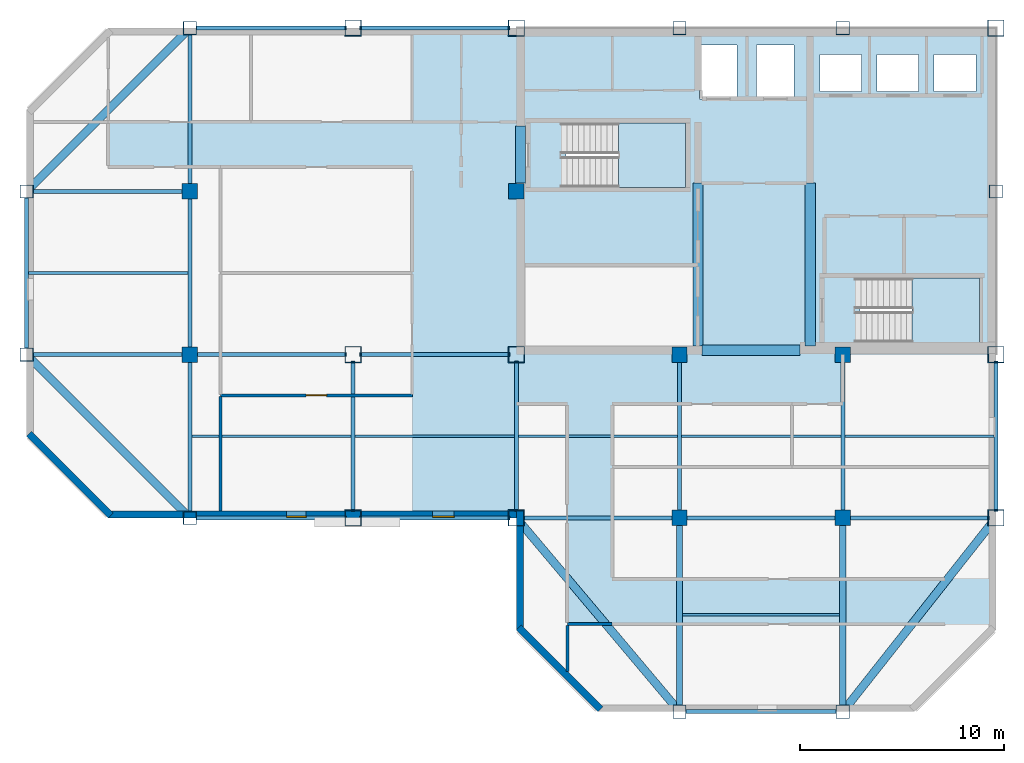
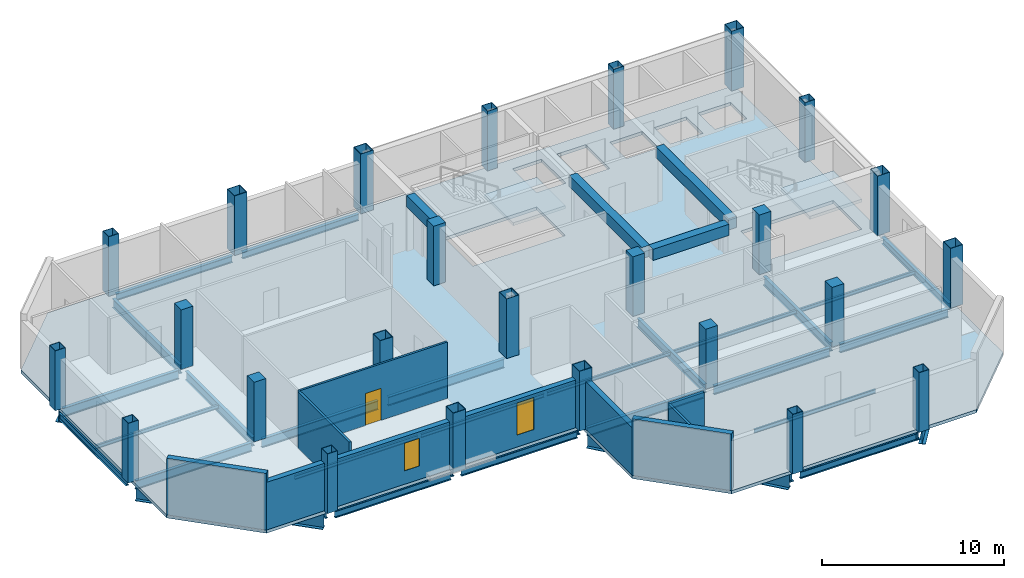
# One storey, part 1 of 7: 38 beams, 25 columns, 8 walls, 3 slabs, 2 windows, 1 door, 3 openings, 2 elements without a shape of their own.
"""IFC4 building model written with IfcOpenShell, lengths in metres."""

from ifc_helpers import new_model, si_unit, direction, frame, frame_2d, origin, origin_2d, place, context, subcontext, project, spatial, polyline, rectangle, hollow_rectangle, i_section, outline, extrude, material, layer, layer_set, material_profile, profile_set, type_object, element, fill, aggregate, save


model = new_model("IFC4")

# Units and contexts
model_context = context("Model", 3, precision=1e-05, world=origin(), true_north=direction((0.0, 1.0)))
body_context = subcontext(model_context, "Body", "Model", "MODEL_VIEW")
ifc_project = project(units=[si_unit("LENGTHUNIT", "METRE"), si_unit("AREAUNIT", "SQUARE_METRE"), si_unit("VOLUMEUNIT", "CUBIC_METRE"), si_unit("PLANEANGLEUNIT", "RADIAN"), si_unit("MASSUNIT", "GRAM", prefix="KILO")], contexts=[model_context])

# Site, building, storey
site_placement = place(None, origin())
site = spatial("IfcSite", under=ifc_project, at=site_placement, CompositionType="ELEMENT")
building_placement = place(site_placement, origin())
building = spatial("IfcBuilding", under=site, at=building_placement, Name="Qianrong Seaharbour Tower", CompositionType="ELEMENT")
storey_placement = place(building_placement, frame((0.0, 0.0, 347.199951171875)))
storey = spatial("IfcBuildingStorey", under=building, at=storey_placement, Name="L84", CompositionType="ELEMENT", Elevation=347.199951171875)

# Columns
ifc_material_1 = material(Name="Structural steel SN490B", Category="steel")
ifc_material_profile_1 = material_profile(ifc_material_1, hollow_rectangle(XDim=0.800048828125, YDim=0.800048828125, WallThickness=0.031982421875, at=origin_2d()), Name="BOX800x800x32")
ifc_profile_set_1 = profile_set([ifc_material_profile_1], Name="Structural steel SN490B")
column_type_1 = type_object("IfcColumnType", Name="COL-CFT-800", PredefinedType="COLUMN", material=ifc_profile_set_1)
for number, where, z_axis, x_axis, name in (
    (1, (32.5, 28.0, 0.0), (0.0, 0.0, 1.0), (1.0, 0.0, 0.0), "L84 Column MC-5 at G5/GE"),
    (2, (32.5, 36.0, 0.0), (0.0, 0.0, 1.0), (1.0, 0.0, 0.0), "L84 Column MC-5 at G5/GF"),
    (3, (32.5, 52.0, 0.0), (0.0, 0.0, 1.0), (1.0, 0.0, 0.0), "L84 Column MC-5 at G5/GH"),
    (4, (40.5, 28.0, 0.0), (0.0, 0.0, 1.0), (1.0, 0.0, 0.0), "L84 Column MC-5 at G6/GE"),
    (5, (40.5, 36.0, 0.0), (0.0, 0.0, 1.0), (1.0, 0.0, 0.0), "L84 Column MC-5 at G6/GF"),
    (6, (40.5, 52.0, 0.0), (0.0, 0.0, 1.0), (1.0, 0.0, 0.0), "L84 Column MC-5 at G6/GH"),
    (7, (64.0, 28.0, 0.0), (0.0, 0.0, 1.0), (1.0, 0.0, 0.0), "L84 Column MC-5 at G9/GE"),
    (8, (64.0, 36.0, 0.0), (0.0, 0.0, 1.0), (1.0, 0.0, 0.0), "L84 Column MC-5 at G9/GF"),
    (9, (64.0, 52.0, 0.0), (0.0, 0.0, 1.0), (1.0, 0.0, 0.0), "L84 Column MC-5 at G9/GH"),
):
    element("IfcColumn", number, at=place(storey_placement, frame(where, z_axis=z_axis, x_axis=x_axis)), inside=storey, type_object=column_type_1, Name=name, PredefinedType="COLUMN", context=body_context, shape_type="SweptSolid", body=[
        extrude(hollow_rectangle(XDim=0.800048828125, YDim=0.800048828125, WallThickness=0.031982421875, at=origin_2d()), origin(), (0.0, 0.0, 1.0), 4.0),
    ])
ifc_material_2 = material(Name="Concrete C50/60", Category="concrete")
ifc_material_profile_2 = material_profile(ifc_material_2, rectangle(XDim=0.75, YDim=0.75, at=origin_2d()), Name="RC750x750")
ifc_profile_set_2 = profile_set([ifc_material_profile_2], Name="Concrete C50/60")
column_type_2 = type_object("IfcColumnType", Name="COL-INT-RC750", PredefinedType="COLUMN", material=ifc_profile_set_2)
for number, where, z_axis, x_axis, name in (
    (10, (24.5, 36.0, 0.0), (0.0, 0.0, 1.0), (1.0, 0.0, 0.0), "L84 Column IC-4 at G4/GF"),
    (11, (24.5, 44.0, 0.0), (0.0, 0.0, 1.0), (1.0, 0.0, 0.0), "L84 Column IC-4 at G4/GG"),
    (12, (40.5, 44.0, 0.0), (0.0, 0.0, 1.0), (1.0, 0.0, 0.0), "L84 Column IC-4 at G6/GG"),
    (13, (48.5, 28.0, 0.0), (0.0, 0.0, 1.0), (1.0, 0.0, 0.0), "L84 Column IC-4 at G7/GE"),
    (14, (48.5, 36.0, 0.0), (0.0, 0.0, 1.0), (1.0, 0.0, 0.0), "L84 Column IC-4 at G7/GF"),
    (15, (56.5, 28.0, 0.0), (0.0, 0.0, 1.0), (1.0, 0.0, 0.0), "L84 Column IC-4 at G8/GE"),
    (16, (56.5, 36.0, 0.0), (0.0, 0.0, 1.0), (1.0, 0.0, 0.0), "L84 Column IC-4 at G8/GF"),
):
    element("IfcColumn", number, at=place(storey_placement, frame(where, z_axis=z_axis, x_axis=x_axis)), inside=storey, type_object=column_type_2, Name=name, PredefinedType="COLUMN", context=body_context, shape_type="SweptSolid", body=[
        extrude(rectangle(XDim=0.75, YDim=0.75, at=origin_2d()), origin(), (0.0, 0.0, 1.0), 4.0),
    ])
ifc_material_3 = material(Name="Structural steel SN400B", Category="steel")
ifc_material_profile_3 = material_profile(ifc_material_3, hollow_rectangle(XDim=0.64990234375, YDim=0.64990234375, WallThickness=0.028076171875, at=origin_2d()), Name="BOX650x650x28")
ifc_profile_set_3 = profile_set([ifc_material_profile_3], Name="Structural steel SN400B")
column_type_3 = type_object("IfcColumnType", Name="COL-PER-650", PredefinedType="COLUMN", material=ifc_profile_set_3)
for number, where, z_axis, x_axis, name in (
    (17, (16.5, 36.0, 0.0), (0.0, 0.0, 1.0), (1.0, 0.0, 0.0), "L84 Column PC-4 at G3/GF"),
    (18, (16.5, 44.0, 0.0), (0.0, 0.0, 1.0), (1.0, 0.0, 0.0), "L84 Column PC-4 at G3/GG"),
    (19, (24.5, 28.0, 0.0), (0.0, 0.0, 1.0), (1.0, 0.0, 0.0), "L84 Column PC-4 at G4/GE"),
    (20, (24.5, 52.0, 0.0), (0.0, 0.0, 1.0), (1.0, 0.0, 0.0), "L84 Column PC-4 at G4/GH"),
    (21, (48.5, 18.5, 0.0), (0.0, 0.0, 1.0), (1.0, 0.0, 0.0), "L84 Column PC-4 at G7/GD"),
    (22, (48.5, 52.0, 0.0), (0.0, 0.0, 1.0), (1.0, 0.0, 0.0), "L84 Column PC-4 at G7/GH"),
    (23, (56.5, 18.5, 0.0), (0.0, 0.0, 1.0), (1.0, 0.0, 0.0), "L84 Column PC-4 at G8/GD"),
    (24, (56.5, 52.0, 0.0), (0.0, 0.0, 1.0), (1.0, 0.0, 0.0), "L84 Column PC-4 at G8/GH"),
    (25, (64.0, 44.0, 0.0), (0.0, 0.0, 1.0), (1.0, 0.0, 0.0), "L84 Column PC-4 at G9/GG"),
):
    element("IfcColumn", number, at=place(storey_placement, frame(where, z_axis=z_axis, x_axis=x_axis)), inside=storey, type_object=column_type_3, Name=name, PredefinedType="COLUMN", context=body_context, shape_type="SweptSolid", body=[
        extrude(hollow_rectangle(XDim=0.64990234375, YDim=0.64990234375, WallThickness=0.028076171875, at=origin_2d()), origin(), (0.0, 0.0, 1.0), 4.0),
    ])

# Beams
ifc_material_profile_4 = material_profile(ifc_material_1, i_section(OverallWidth=0.199951171875, OverallDepth=0.60009765625, WebThickness=0.010986328125, FlangeThickness=0.01708984375, FilletRadius=0.02197265625, at=origin_2d()), Name="H600x200x11x17")
ifc_profile_set_4 = profile_set([ifc_material_profile_4], Name="Structural steel SN490B")
beam_type_1 = type_object("IfcBeamType", Name="BM-G-600", PredefinedType="BEAM", material=ifc_profile_set_4)
for number, where, z_axis, x_axis, name in (
    (26, (40.820068359375, 28.0, -0.514892578125), (1.0, 0.0, 0.0), (0.0, 1.0, 0.0), "L84 Primary Girder GE G6-G7"),
    (27, (48.820068359375, 28.0, -0.514892578125), (1.0, 0.0, 0.0), (0.0, 1.0, 0.0), "L84 Primary Girder GE G7-G8"),
):
    element("IfcBeam", number, at=place(storey_placement, frame(where, z_axis=z_axis, x_axis=x_axis)), inside=storey, type_object=beam_type_1, Name=name, PredefinedType="BEAM", context=body_context, shape_type="SweptSolid", body=[
        extrude(i_section(OverallWidth=0.199951171875, OverallDepth=0.60009765625, WebThickness=0.010986328125, FlangeThickness=0.01708984375, FilletRadius=0.02197265625, at=origin_2d()), origin(), (0.0, 0.0, 1.0), 7.35986328125),
    ])
beam_1_placement = place(storey_placement, frame((56.820068359375, 28.0, -0.514892578125), z_axis=(1.0, 0.0, 0.0), x_axis=(0.0, 1.0, 0.0)))
element("IfcBeam", 28, at=beam_1_placement, inside=storey, type_object=beam_type_1, Name="L84 Primary Girder GE G8-G9", PredefinedType="BEAM", context=body_context, shape_type="SweptSolid", body=[
    extrude(i_section(OverallWidth=0.199951171875, OverallDepth=0.60009765625, WebThickness=0.010986328125, FlangeThickness=0.01708984375, FilletRadius=0.02197265625, at=origin_2d()), origin(), (0.0, 0.0, 1.0), 6.85986328125),
])
for number, where, z_axis, x_axis, name in (
    (29, (16.820068359375, 36.0, -0.514892578125), (1.0, 0.0, 0.0), (0.0, 1.0, 0.0), "L84 Primary Girder GF G3-G4"),
    (30, (24.820068359375, 36.0, -0.514892578125), (1.0, 0.0, 0.0), (0.0, 1.0, 0.0), "L84 Primary Girder GF G4-G5"),
    (31, (32.820068359375, 36.0, -0.514892578125), (1.0, 0.0, 0.0), (0.0, 1.0, 0.0), "L84 Primary Girder GF G5-G6"),
    (32, (16.820068359375, 44.0, -0.514892578125), (1.0, 0.0, 0.0), (0.0, 1.0, 0.0), "L84 Primary Girder GG G3-G4"),
    (33, (24.5, 28.320068359375, -0.514892578125), (0.0, 1.0, 0.0), (-1.0, 0.0, 0.0), "L84 Primary Girder G4 GE-GF"),
    (34, (24.5, 36.320068359375, -0.514892578125), (0.0, 1.0, 0.0), (-1.0, 0.0, 0.0), "L84 Primary Girder G4 GF-GG"),
    (35, (24.5, 44.320068359375, -0.514892578125), (0.0, 1.0, 0.0), (-1.0, 0.0, 0.0), "L84 Primary Girder G4 GG-GH"),
    (36, (32.5, 28.320068359375, -0.514892578125), (0.0, 1.0, 0.0), (-1.0, 0.0, 0.0), "L84 Primary Girder G5 GE-GF"),
    (37, (40.5, 28.320068359375, -0.514892578125), (0.0, 1.0, 0.0), (-1.0, 0.0, 0.0), "L84 Primary Girder G6 GE-GF"),
    (38, (48.5, 28.320068359375, -0.514892578125), (0.0, 1.0, 0.0), (-1.0, 0.0, 0.0), "L84 Primary Girder G7 GE-GF"),
    (39, (56.5, 28.320068359375, -0.514892578125), (0.0, 1.0, 0.0), (-1.0, 0.0, 0.0), "L84 Primary Girder G8 GE-GF"),
):
    element("IfcBeam", number, at=place(storey_placement, frame(where, z_axis=z_axis, x_axis=x_axis)), inside=storey, type_object=beam_type_1, Name=name, PredefinedType="BEAM", context=body_context, shape_type="SweptSolid", body=[
        extrude(i_section(OverallWidth=0.199951171875, OverallDepth=0.60009765625, WebThickness=0.010986328125, FlangeThickness=0.01708984375, FilletRadius=0.02197265625, at=origin_2d()), origin(), (0.0, 0.0, 1.0), 7.35986328125),
    ])
ifc_material_profile_5 = material_profile(ifc_material_1, i_section(OverallWidth=0.300048828125, OverallDepth=0.800048828125, WebThickness=0.013916015625, FlangeThickness=0.02587890625, FilletRadius=0.028076171875, at=origin_2d()), Name="H800x300x14x26")
ifc_profile_set_5 = profile_set([ifc_material_profile_5], Name="Structural steel SN490B")
beam_type_2 = type_object("IfcBeamType", Name="BM-G-800", PredefinedType="BEAM", material=ifc_profile_set_5)
for number, where, z_axis, x_axis, name in (
    (40, (48.5, 18.820068359375, -0.614990234375), (0.0, 1.0, 0.0), (-1.0, 0.0, 0.0), "L84 Primary Girder G7 GD-GE"),
    (41, (56.5, 18.820068359375, -0.614990234375), (0.0, 1.0, 0.0), (-1.0, 0.0, 0.0), "L84 Primary Girder G8 GD-GE"),
):
    element("IfcBeam", number, at=place(storey_placement, frame(where, z_axis=z_axis, x_axis=x_axis)), inside=storey, type_object=beam_type_2, Name=name, PredefinedType="BEAM", context=body_context, shape_type="SweptSolid", body=[
        extrude(i_section(OverallWidth=0.300048828125, OverallDepth=0.800048828125, WebThickness=0.013916015625, FlangeThickness=0.02587890625, FilletRadius=0.028076171875, at=origin_2d()), origin(), (0.0, 0.0, 1.0), 8.85986328125),
    ])
ifc_material_profile_6 = material_profile(ifc_material_3, i_section(OverallWidth=0.125, OverallDepth=0.25, WebThickness=0.006103515625, FlangeThickness=0.009033203125, FilletRadius=0.011962890625, at=origin_2d()), Name="H250x125x6x9")
ifc_profile_set_6 = profile_set([ifc_material_profile_6], Name="Structural steel SN400B")
beam_type_3 = type_object("IfcBeamType", Name="BM-J-250", PredefinedType="JOIST", material=ifc_profile_set_6)
for number, where, z_axis, x_axis, name in (
    (42, (16.60009765625, 40.0, -0.33984375), (1.0, 0.0, 0.0), (0.0, 1.0, 0.0), "L84 Composite Floor Joist G3-G4/GF-GG"),
    (43, (24.60009765625, 32.0, -0.33984375), (1.0, 0.0, 0.0), (0.0, 1.0, 0.0), "L84 Composite Floor Joist G4-G5/GE-GF"),
    (44, (32.60009765625, 32.0, -0.33984375), (1.0, 0.0, 0.0), (0.0, 1.0, 0.0), "L84 Composite Floor Joist G5-G6/GE-GF"),
    (45, (40.60009765625, 32.0, -0.33984375), (1.0, 0.0, 0.0), (0.0, 1.0, 0.0), "L84 Composite Floor Joist G6-G7/GE-GF"),
):
    element("IfcBeam", number, at=place(storey_placement, frame(where, z_axis=z_axis, x_axis=x_axis)), inside=storey, type_object=beam_type_3, Name=name, PredefinedType="JOIST", context=body_context, shape_type="SweptSolid", body=[
        extrude(i_section(OverallWidth=0.125, OverallDepth=0.25, WebThickness=0.006103515625, FlangeThickness=0.009033203125, FilletRadius=0.011962890625, at=origin_2d()), origin(), (0.0, 0.0, 1.0), 7.7998046875),
    ])
beam_2_placement = place(storey_placement, frame((48.64990234375, 23.25, -0.33984375), z_axis=(1.0, 0.0, 0.0), x_axis=(0.0, 1.0, 0.0)))
element("IfcBeam", 46, at=beam_2_placement, inside=storey, type_object=beam_type_3, Name="L84 Composite Floor Joist G7-G8/GD-GE", PredefinedType="JOIST", context=body_context, shape_type="SweptSolid", body=[
    extrude(i_section(OverallWidth=0.125, OverallDepth=0.25, WebThickness=0.006103515625, FlangeThickness=0.009033203125, FilletRadius=0.011962890625, at=origin_2d()), origin(), (0.0, 0.0, 1.0), 7.7001953125),
])
beam_3_placement = place(storey_placement, frame((48.60009765625, 32.0, -0.33984375), z_axis=(1.0, 0.0, 0.0), x_axis=(0.0, 1.0, 0.0)))
element("IfcBeam", 47, at=beam_3_placement, inside=storey, type_object=beam_type_3, Name="L84 Composite Floor Joist G7-G8/GE-GF", PredefinedType="JOIST", context=body_context, shape_type="SweptSolid", body=[
    extrude(i_section(OverallWidth=0.125, OverallDepth=0.25, WebThickness=0.006103515625, FlangeThickness=0.009033203125, FilletRadius=0.011962890625, at=origin_2d()), origin(), (0.0, 0.0, 1.0), 7.7998046875),
])
beam_4_placement = place(storey_placement, frame((56.60009765625, 32.0, -0.33984375), z_axis=(1.0, 0.0, 0.0), x_axis=(0.0, 1.0, 0.0)))
element("IfcBeam", 48, at=beam_4_placement, inside=storey, type_object=beam_type_3, Name="L84 Composite Floor Joist G8-G9/GE-GF", PredefinedType="JOIST", context=body_context, shape_type="SweptSolid", body=[
    extrude(i_section(OverallWidth=0.125, OverallDepth=0.25, WebThickness=0.006103515625, FlangeThickness=0.009033203125, FilletRadius=0.011962890625, at=origin_2d()), origin(), (0.0, 0.0, 1.0), 7.2998046875),
])
ifc_material_4 = material(Name="Concrete C60/75", Category="concrete")
ifc_material_profile_7 = material_profile(ifc_material_4, rectangle(XDim=0.5, YDim=0.75, at=origin_2d()), Name="RC500x750")
ifc_profile_set_7 = profile_set([ifc_material_profile_7], Name="Concrete C60/75")
beam_type_4 = type_object("IfcBeamType", Name="BM-LINTEL-750", PredefinedType="LINTEL", material=ifc_profile_set_7)
beam_5_placement = place(storey_placement, frame((40.7099609375, 44.39990234375, 3.41015625), z_axis=(0.0, 1.0, 0.0), x_axis=(-1.0, 0.0, 0.0)))
element("IfcBeam", 49, at=beam_5_placement, inside=storey, type_object=beam_type_4, Name="L84 Core Coupling Lintel Beam West", PredefinedType="LINTEL", context=body_context, shape_type="SweptSolid", body=[
    extrude(rectangle(XDim=0.5, YDim=0.75, at=origin_2d()), origin(), (0.0, 0.0, 1.0), 2.800048828125),
])
beam_6_placement = place(storey_placement, frame((49.60009765625, 36.2099609375, 3.41015625), z_axis=(1.0, 0.0, 0.0), x_axis=(0.0, 1.0, 0.0)))
element("IfcBeam", 50, at=beam_6_placement, inside=storey, type_object=beam_type_4, Name="L84 Core Coupling Lintel Beam CBC", PredefinedType="LINTEL", context=body_context, shape_type="SweptSolid", body=[
    extrude(rectangle(XDim=0.5, YDim=0.75, at=origin_2d()), origin(), (0.0, 0.0, 1.0), 4.7998046875),
])
for number, where, z_axis, x_axis, name in (
    (51, (49.39990234375, 36.419921875, 3.41015625), (0.0, 1.0, 0.0), (-1.0, 0.0, 0.0), "L84 Internal Core Coupling Beam IW1"),
    (52, (54.89990234375, 36.419921875, 3.41015625), (0.0, 1.0, 0.0), (-1.0, 0.0, 0.0), "L84 Internal Core Coupling Beam IW2"),
):
    element("IfcBeam", number, at=place(storey_placement, frame(where, z_axis=z_axis, x_axis=x_axis)), inside=storey, type_object=beam_type_4, Name=name, PredefinedType="LINTEL", context=body_context, shape_type="SweptSolid", body=[
        extrude(rectangle(XDim=0.5, YDim=0.75, at=origin_2d()), origin(), (0.0, 0.0, 1.0), 7.97998046875),
    ])
ifc_material_profile_8 = material_profile(ifc_material_3, i_section(OverallWidth=0.199951171875, OverallDepth=0.449951171875, WebThickness=0.009033203125, FlangeThickness=0.013916015625, FilletRadius=0.01806640625, at=origin_2d()), Name="H450x200x9x14")
ifc_profile_set_8 = profile_set([ifc_material_profile_8], Name="Structural steel SN400B")
beam_type_5 = type_object("IfcBeamType", Name="BM-SP-450", PredefinedType="SPANDREL", material=ifc_profile_set_8)
for number, where, z_axis, x_axis, name in (
    (53, (48.820068359375, 18.5, -0.43994140625), (1.0, 0.0, 0.0), (0.0, 1.0, 0.0), "L84 Spandrel Girder GD G7-G8"),
    (54, (24.820068359375, 28.0, -0.43994140625), (1.0, 0.0, 0.0), (0.0, 1.0, 0.0), "L84 Spandrel Girder GE G4-G5"),
    (55, (32.820068359375, 28.0, -0.43994140625), (1.0, 0.0, 0.0), (0.0, 1.0, 0.0), "L84 Spandrel Girder GE G5-G6"),
    (56, (24.820068359375, 52.0, -0.43994140625), (1.0, 0.0, 0.0), (0.0, 1.0, 0.0), "L84 Spandrel Girder GH G4-G5"),
    (57, (32.820068359375, 52.0, -0.43994140625), (1.0, 0.0, 0.0), (0.0, 1.0, 0.0), "L84 Spandrel Girder GH G5-G6"),
    (58, (16.5, 36.320068359375, -0.43994140625), (0.0, 1.0, 0.0), (-1.0, 0.0, 0.0), "L84 Spandrel Girder G3 GF-GG"),
    (59, (64.0, 28.320068359375, -0.43994140625), (0.0, 1.0, 0.0), (-1.0, 0.0, 0.0), "L84 Spandrel Girder G9 GE-GF"),
):
    element("IfcBeam", number, at=place(storey_placement, frame(where, z_axis=z_axis, x_axis=x_axis)), inside=storey, type_object=beam_type_5, Name=name, PredefinedType="SPANDREL", context=body_context, shape_type="SweptSolid", body=[
        extrude(i_section(OverallWidth=0.199951171875, OverallDepth=0.449951171875, WebThickness=0.009033203125, FlangeThickness=0.013916015625, FilletRadius=0.01806640625, at=origin_2d()), origin(), (0.0, 0.0, 1.0), 7.35986328125),
    ])
ifc_material_profile_9 = material_profile(ifc_material_1, i_section(OverallWidth=0.39990234375, OverallDepth=1.10009765625, WebThickness=0.02001953125, FlangeThickness=0.035888671875, at=origin_2d()), Name="BH1100x400x20x36")
ifc_profile_set_9 = profile_set([ifc_material_profile_9], Name="Structural steel SN490B")
beam_type_6 = type_object("IfcBeamType", Name="BM-TG-1100", PredefinedType="BEAM", material=ifc_profile_set_9)
for number, where, z_axis, x_axis, name in (
    (60, (24.273681640625, 28.226318359375, -0.764892578125), (-0.707106781187, 0.707106781187, 0.0), (-0.707106781187, -0.707106781187, 0.0), "L84 Chamfer Corner Spandrel Girder G3/GE"),
    (61, (24.273681640625, 51.773681640625, -0.764892578125), (-0.707106781187, -0.707106781187, 0.0), (0.707106781187, -0.707106781187, 0.0), "L84 Chamfer Corner Spandrel Girder G3/GH"),
):
    element("IfcBeam", number, at=place(storey_placement, frame(where, z_axis=z_axis, x_axis=x_axis)), inside=storey, type_object=beam_type_6, Name=name, PredefinedType="BEAM", context=body_context, shape_type="SweptSolid", body=[
        extrude(i_section(OverallWidth=0.39990234375, OverallDepth=1.10009765625, WebThickness=0.02001953125, FlangeThickness=0.035888671875, at=origin_2d()), origin(), (0.0, 0.0, 1.0), 10.673583984375),
    ])
beam_7_placement = place(storey_placement, frame((48.2939453125, 18.744873046875, -0.764892578125), z_axis=(-0.644151063101, 0.764898299061, 0.0), x_axis=(-0.764898299061, -0.644151063101, 0.0)))
element("IfcBeam", 62, at=beam_7_placement, inside=storey, type_object=beam_type_6, Name="L84 Chamfer Corner Spandrel Girder G6/GD", PredefinedType="BEAM", context=body_context, shape_type="SweptSolid", body=[
    extrude(i_section(OverallWidth=0.39990234375, OverallDepth=1.10009765625, WebThickness=0.02001953125, FlangeThickness=0.035888671875, at=origin_2d()), origin(), (0.0, 0.0, 1.0), 11.77978515625),
])
beam_8_placement = place(storey_placement, frame((56.6982421875, 18.751220703125, -0.764892578125), z_axis=(0.619653955715, 0.784875133487, 0.0), x_axis=(-0.784875133487, 0.619653955715, 0.0)))
element("IfcBeam", 63, at=beam_8_placement, inside=storey, type_object=beam_type_6, Name="L84 Chamfer Corner Spandrel Girder G9/GD", PredefinedType="BEAM", context=body_context, shape_type="SweptSolid", body=[
    extrude(i_section(OverallWidth=0.39990234375, OverallDepth=1.10009765625, WebThickness=0.02001953125, FlangeThickness=0.035888671875, at=origin_2d()), origin(), (0.0, 0.0, 1.0), 11.463623046875),
])

# Stair, slab
stair_type = type_object("IfcStairType", Name="STAIR-DOGLEG-1500-R22", PredefinedType="HALF_TURN_STAIR", material=ifc_material_2)
stair_1_placement = place(storey_placement, origin())
stair_1 = element("IfcStair", 64, at=stair_1_placement, inside=storey, type_object=stair_type, Name="L84 Protected Escape Stair ST-1", PredefinedType="HALF_TURN_STAIR")
ifc_layer_1 = layer(ifc_material_2, 0.199951171875)
ifc_layer_set_1 = layer_set([ifc_layer_1], Name="Concrete C50/60")
slab_type_1 = type_object("IfcSlabType", Name="SLAB-STAIR-LANDING-200", PredefinedType="LANDING", material=ifc_layer_set_1)
slab_1_placement = place(storey_placement, frame((0.0, 0.0, 1.800048828125)))
slab_1 = element("IfcSlab", 65, at=slab_1_placement, type_object=slab_type_1, Name="ST-1 landing 1", PredefinedType="LANDING", context=body_context, shape_type="SweptSolid", body=[
    extrude(outline(polyline([(45.5, 44.199951171875), (48.800048828125, 44.199951171875), (48.800048828125, 47.35009765625), (45.5, 47.35009765625), (45.5, 44.199951171875)])), origin(), (0.0, 0.0, 1.0), 0.199951171875),
])
aggregate(stair_1, [slab_1])

stair_2_placement = place(storey_placement, origin())
stair_2 = element("IfcStair", 66, at=stair_2_placement, inside=storey, type_object=stair_type, Name="L84 Protected Escape Stair ST-2", PredefinedType="HALF_TURN_STAIR")
slab_2_placement = place(storey_placement, frame((0.0, 0.0, 1.800048828125)))
slab_2 = element("IfcSlab", 67, at=slab_2_placement, type_object=slab_type_1, Name="ST-2 landing 1", PredefinedType="LANDING", context=body_context, shape_type="SweptSolid", body=[
    extrude(outline(polyline([(59.89990234375, 36.60009765625), (63.199951171875, 36.60009765625), (63.199951171875, 39.75), (59.89990234375, 39.75), (59.89990234375, 36.60009765625)])), origin(), (0.0, 0.0, 1.0), 0.199951171875),
])
aggregate(stair_2, [slab_2])

# Slab
ifc_layer_2 = layer(ifc_material_2, 0.215087890625)
ifc_layer_set_2 = layer_set([ifc_layer_2], Name="Concrete C50/60")
slab_type_2 = type_object("IfcSlabType", Name="SLAB-Z4-215", PredefinedType="FLOOR", material=ifc_layer_set_2)
slab_3_placement = place(storey_placement, frame((0.0, 0.0, -0.21484375)))
element("IfcSlab", 68, at=slab_3_placement, inside=storey, type_object=slab_type_2, Name="L84 Structural Floor Slab", PredefinedType="FLOOR", context=body_context, shape_type="SweptSolid", body=[
    extrude(outline(polyline([(44.5, 18.5), (60.0, 18.5), (64.0, 22.5), (64.0, 52.0), (20.5, 52.0), (16.5, 48.0), (16.5, 32.0), (20.5, 28.0), (40.5, 28.0), (40.5, 22.5), (44.5, 18.5)]), holes=[polyline([(42.93994140625, 44.199951171875), (42.93994140625, 47.35009765625), (48.800048828125, 47.35009765625), (48.800048828125, 44.199951171875), (42.93994140625, 44.199951171875)]), polyline([(57.340087890625, 36.60009765625), (57.340087890625, 39.75), (63.199951171875, 39.75), (63.199951171875, 36.60009765625), (57.340087890625, 36.60009765625)]), polyline([(49.47998046875, 48.530029296875), (49.47998046875, 51.169921875), (51.320068359375, 51.169921875), (51.320068359375, 48.530029296875), (49.47998046875, 48.530029296875)]), polyline([(52.280029296875, 48.530029296875), (52.280029296875, 51.169921875), (54.1201171875, 51.169921875), (54.1201171875, 48.530029296875), (52.280029296875, 48.530029296875)]), polyline([(55.3798828125, 48.89990234375), (55.3798828125, 50.699951171875), (57.419921875, 50.699951171875), (57.419921875, 48.89990234375), (55.3798828125, 48.89990234375)]), polyline([(58.179931640625, 48.89990234375), (58.179931640625, 50.699951171875), (60.219970703125, 50.699951171875), (60.219970703125, 48.89990234375), (58.179931640625, 48.89990234375)]), polyline([(60.97998046875, 48.89990234375), (60.97998046875, 50.699951171875), (63.02001953125, 50.699951171875), (63.02001953125, 48.89990234375), (60.97998046875, 48.89990234375)])]), origin(), (0.0, 0.0, 1.0), 0.21484375),
])

# Walls
ifc_material_5 = material(Name="Fire-rated acoustic gypsum board partition")
ifc_layer_3 = layer(ifc_material_5, 0.1650390625)
ifc_layer_set_3 = layer_set([ifc_layer_3], Name="Fire-rated acoustic gypsum board partition")
wall_type_1 = type_object("IfcWallType", Name="WALL-CORR-PART-165", PredefinedType="PARTITIONING", material=ifc_layer_set_3)
wall_1_placement = place(storey_placement, frame((45.199951171875, 22.800048828125, 0.0), z_axis=(0.0, 0.0, 1.0), x_axis=(-1.0, 0.0, 0.0)))
element("IfcWall", 69, at=wall_1_placement, inside=storey, type_object=wall_type_1, Name="L84 Interior Partition Wall 029", PredefinedType="PARTITIONING", context=body_context, shape_type="SweptSolid", body=[
    extrude(rectangle(XDim=2.199951171875, YDim=0.1650390625, at=frame_2d((1.10009765625, 0.0))), origin(), (0.0, 0.0, 1.0), 3.78515625),
])
ifc_material_6 = material(Name="Unitised buff brick on Precast concrete C45/55", Category="masonry")
ifc_layer_4 = layer(ifc_material_6, 0.340087890625)
ifc_layer_set_4 = layer_set([ifc_layer_4], Name="Unitised buff brick on Precast concrete C45/55")
wall_type_2 = type_object("IfcWallType", Name="WALL-EXT-BRICK-BUFF-340", PredefinedType="SOLIDWALL", material=ifc_layer_set_4)
wall_2_placement = place(storey_placement, frame((40.669921875, 22.5, 0.0), z_axis=(0.0, 0.0, 1.0), x_axis=(0.0, 1.0, 0.0)))
element("IfcWall", 70, at=wall_2_placement, inside=storey, type_object=wall_type_2, Name="L84 Exterior Masonry Facade Wall REENTRANT_WEST", PredefinedType="SOLIDWALL", context=body_context, shape_type="SweptSolid", body=[
    extrude(rectangle(XDim=5.840087890625, YDim=0.340087890625, at=frame_2d((2.919921875, 0.0))), origin(), (0.0, 0.0, 1.0), 3.18505859375),
])

# Wall, openings, windows
wall_3_placement = place(storey_placement, frame((40.52001953125, 28.169921875, 0.0), z_axis=(0.0, 0.0, 1.0), x_axis=(-1.0, 0.0, 0.0)))
wall_3 = element("IfcWall", 71, at=wall_3_placement, inside=storey, type_object=wall_type_2, Name="L84 Exterior Masonry Facade Wall HARBOUR_RIBBON", PredefinedType="SOLIDWALL", context=body_context, shape_type="SweptSolid", body=[
    extrude(rectangle(XDim=20.02001953125, YDim=0.340087890625, at=frame_2d((10.010009765625, 0.0))), origin(), (0.0, 0.0, 1.0), 3.18505859375),
])
opening_1_placement = place(wall_3_placement, frame((3.074951171875, 0.0, 0.800048828125)))
opening_1 = element("IfcOpeningElement", 72, at=opening_1_placement, cuts=wall_3, Name="Opening WN-14", PredefinedType="OPENING", context=body_context, shape_type="SweptSolid", body=[
    extrude(rectangle(XDim=1.050048828125, YDim=2.14990234375, at=frame_2d((0.52490234375, 1.074951171875))), frame((0.0, 0.18017578125, 0.0), z_axis=(0.0, -1.0, 0.0), x_axis=(1.0, 0.0, 0.0)), (0.0, 0.0, 1.0), 0.360107421875),
])
opening_2_placement = place(wall_3_placement, frame((10.324951171875, 0.0, 0.89990234375)))
opening_2 = element("IfcOpeningElement", 73, at=opening_2_placement, cuts=wall_3, Name="Opening WN-13", PredefinedType="OPENING", context=body_context, shape_type="SweptSolid", body=[
    extrude(rectangle(XDim=0.949951171875, YDim=1.85009765625, at=frame_2d((0.47509765625, 0.925048828125))), frame((0.0, 0.18017578125, 0.0), z_axis=(0.0, -1.0, 0.0), x_axis=(1.0, 0.0, 0.0)), (0.0, 0.0, 1.0), 0.360107421875),
])
ifc_material_7 = material(Name="Insulated low-e double glazing in thermally broken aluminium 6063-T6 frame", Category="aluminium")
window_type_1 = type_object("IfcWindowType", Name="WIN-NARROW-1050x2150", PartitioningType="SINGLE_PANEL", PredefinedType="WINDOW", material=ifc_material_7)
window_1_placement = place(opening_1_placement, origin())
window_1 = element("IfcWindow", 74, at=window_1_placement, inside=storey, type_object=window_type_1, Name="L84 Deep-Set Punched Window 01.01", OverallHeight=2.14990234375, OverallWidth=1.050048828125, PartitioningType="SINGLE_PANEL", PredefinedType="WINDOW", context=body_context, shape_type="SweptSolid", body=[
    extrude(rectangle(XDim=1.050048828125, YDim=2.14990234375, at=frame_2d((0.52490234375, 1.074951171875))), frame((0.0, 0.150146484375, 0.0), z_axis=(0.0, -1.0, 0.0), x_axis=(1.0, 0.0, 0.0)), (0.0, 0.0, 1.0), 0.06005859375),
])
fill(opening_1, window_1)
window_type_2 = type_object("IfcWindowType", Name="WIN-NARROW-950x1850", PartitioningType="SINGLE_PANEL", PredefinedType="WINDOW", material=ifc_material_7)
window_2_placement = place(opening_2_placement, origin())
window_2 = element("IfcWindow", 75, at=window_2_placement, inside=storey, type_object=window_type_2, Name="L84 Deep-Set Punched Window 01.03", OverallHeight=1.85009765625, OverallWidth=0.949951171875, PartitioningType="SINGLE_PANEL", PredefinedType="WINDOW", context=body_context, shape_type="SweptSolid", body=[
    extrude(rectangle(XDim=0.949951171875, YDim=1.85009765625, at=frame_2d((0.47509765625, 0.925048828125))), frame((0.0, 0.150146484375, 0.0), z_axis=(0.0, -1.0, 0.0), x_axis=(1.0, 0.0, 0.0)), (0.0, 0.0, 1.0), 0.06005859375),
])
fill(opening_2, window_2)

# Walls
for number, where, z_axis, x_axis, name in (
    (76, (20.6201171875, 28.1201171875, 0.0), (0.0, 0.0, 1.0), (-0.707106781187, 0.707106781187, 0.0), "L84 Exterior Masonry Facade Wall E02"),
    (77, (44.6201171875, 18.6201171875, 0.0), (0.0, 0.0, 1.0), (-0.707106781187, 0.707106781187, 0.0), "L84 Exterior Masonry Facade Wall E09"),
):
    element("IfcWall", number, at=place(storey_placement, frame(where, z_axis=z_axis, x_axis=x_axis)), inside=storey, type_object=wall_type_2, Name=name, PredefinedType="SOLIDWALL", context=body_context, shape_type="SweptSolid", body=[
        extrude(rectangle(XDim=5.65673828125, YDim=0.340087890625, at=frame_2d((2.828369140625, 0.0))), origin(), (0.0, 0.0, 1.0), 3.78515625),
    ])
ifc_material_8 = material(Name="Acoustic gypsum board stud partition")
ifc_layer_5 = layer(ifc_material_8, 0.14501953125)
ifc_layer_set_5 = layer_set([ifc_layer_5], Name="Acoustic gypsum board stud partition")
wall_type_3 = type_object("IfcWallType", Name="WALL-OFFICE-PART-145", PredefinedType="PARTITIONING", material=ifc_layer_set_5)
wall_4_placement = place(storey_placement, frame((43.0, 20.469482421875, 0.0), z_axis=(0.0, 0.0, 1.0), x_axis=(0.0, 1.0, 0.0)))
element("IfcWall", 78, at=wall_4_placement, inside=storey, type_object=wall_type_3, Name="L84 Interior Partition Wall 035", PredefinedType="PARTITIONING", context=body_context, shape_type="SweptSolid", body=[
    extrude(rectangle(XDim=2.256103515625, YDim=0.14501953125, at=frame_2d((1.1279296875, 0.0))), origin(), (0.0, 0.0, 1.0), 3.78515625),
])
wall_5_placement = place(storey_placement, frame((26.0, 33.943115234375, 0.0), z_axis=(0.0, 0.0, 1.0), x_axis=(0.0, -1.0, 0.0)))
element("IfcWall", 79, at=wall_5_placement, inside=storey, type_object=wall_type_3, Name="L84 Interior Partition Wall 042", PredefinedType="PARTITIONING", context=body_context, shape_type="SweptSolid", body=[
    extrude(rectangle(XDim=5.611083984375, YDim=0.14501953125, at=frame_2d((2.8056640625, 0.0))), origin(), (0.0, 0.0, 1.0), 3.78515625),
])

# Wall, opening, door
ifc_material_9 = material(Name="Water-resistant cement board sanitary partition")
ifc_layer_6 = layer(ifc_material_9, 0.1298828125)
ifc_layer_set_6 = layer_set([ifc_layer_6], Name="Water-resistant cement board sanitary partition")
wall_type_4 = type_object("IfcWallType", Name="WALL-WET-PART-130", PredefinedType="PARTITIONING", material=ifc_layer_set_6)
wall_6_placement = place(storey_placement, frame((26.0, 34.0, 0.0), z_axis=(0.0, 0.0, 1.0), x_axis=(1.0, 0.0, 0.0)))
wall_6 = element("IfcWall", 80, at=wall_6_placement, inside=storey, type_object=wall_type_4, Name="L84 Interior Partition Wall 045", PredefinedType="PARTITIONING", context=body_context, shape_type="SweptSolid", body=[
    extrude(rectangle(XDim=9.39990234375, YDim=0.1298828125, at=frame_2d((4.699951171875, 0.0))), origin(), (0.0, 0.0, 1.0), 3.78515625),
])
opening_3_placement = place(wall_6_placement, frame((4.199951171875, 0.0, 0.0)))
opening_3 = element("IfcOpeningElement", 81, at=opening_3_placement, cuts=wall_6, Name="Opening DO-01", PredefinedType="OPENING", context=body_context, shape_type="SweptSolid", body=[
    extrude(rectangle(XDim=1.0, YDim=2.14990234375, at=frame_2d((0.5, 1.074951171875))), frame((0.0, 0.074951171875, 0.0), z_axis=(0.0, -1.0, 0.0), x_axis=(1.0, 0.0, 0.0)), (0.0, 0.0, 1.0), 0.14990234375),
])
ifc_material_10 = material(Name="Acoustic timber and galvanized steel fire door assembly", Category="steel")
door_type = type_object("IfcDoorType", Name="DOOR-OFFICE-1000x2150", OperationType="NOTDEFINED", PredefinedType="DOOR", material=ifc_material_10)
door_placement = place(opening_3_placement, origin())
door = element("IfcDoor", 82, at=door_placement, inside=storey, type_object=door_type, Name="L84 Medical Examination Room 1 Door", OperationType="SINGLE_SWING_RIGHT", OverallHeight=2.14990234375, OverallWidth=1.0, PredefinedType="DOOR", context=body_context, shape_type="SweptSolid", body=[
    extrude(rectangle(XDim=1.0, YDim=2.14990234375, at=frame_2d((0.5, 1.074951171875))), frame((0.0, 0.02490234375, 0.0), z_axis=(0.0, -1.0, 0.0), x_axis=(1.0, 0.0, 0.0)), (0.0, 0.0, 1.0), 0.050048828125),
])
fill(opening_3, door)

save(model, "model.ifc")
